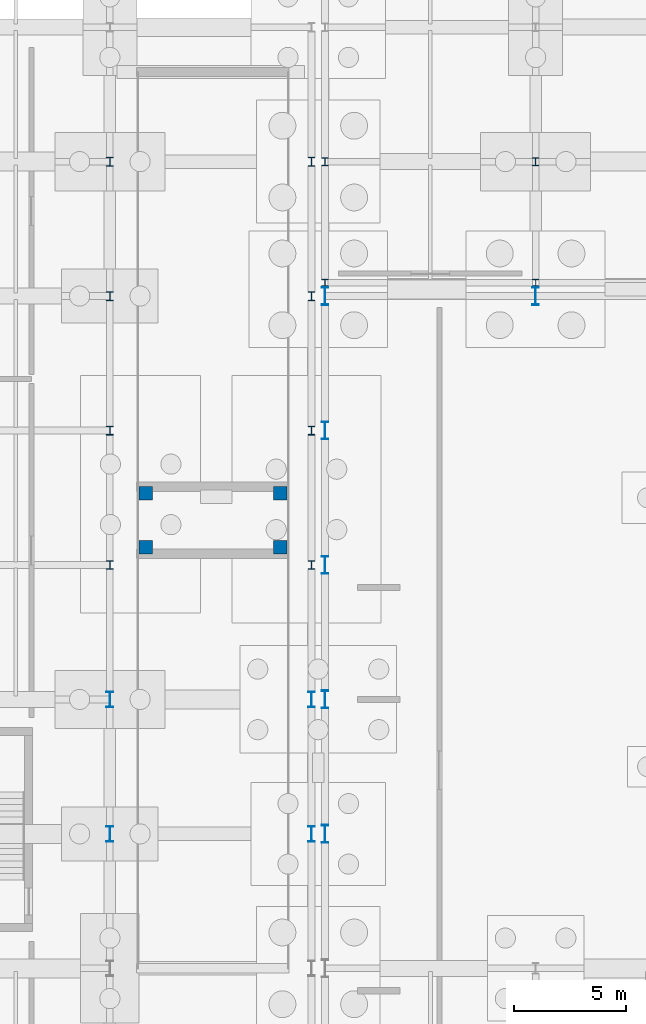
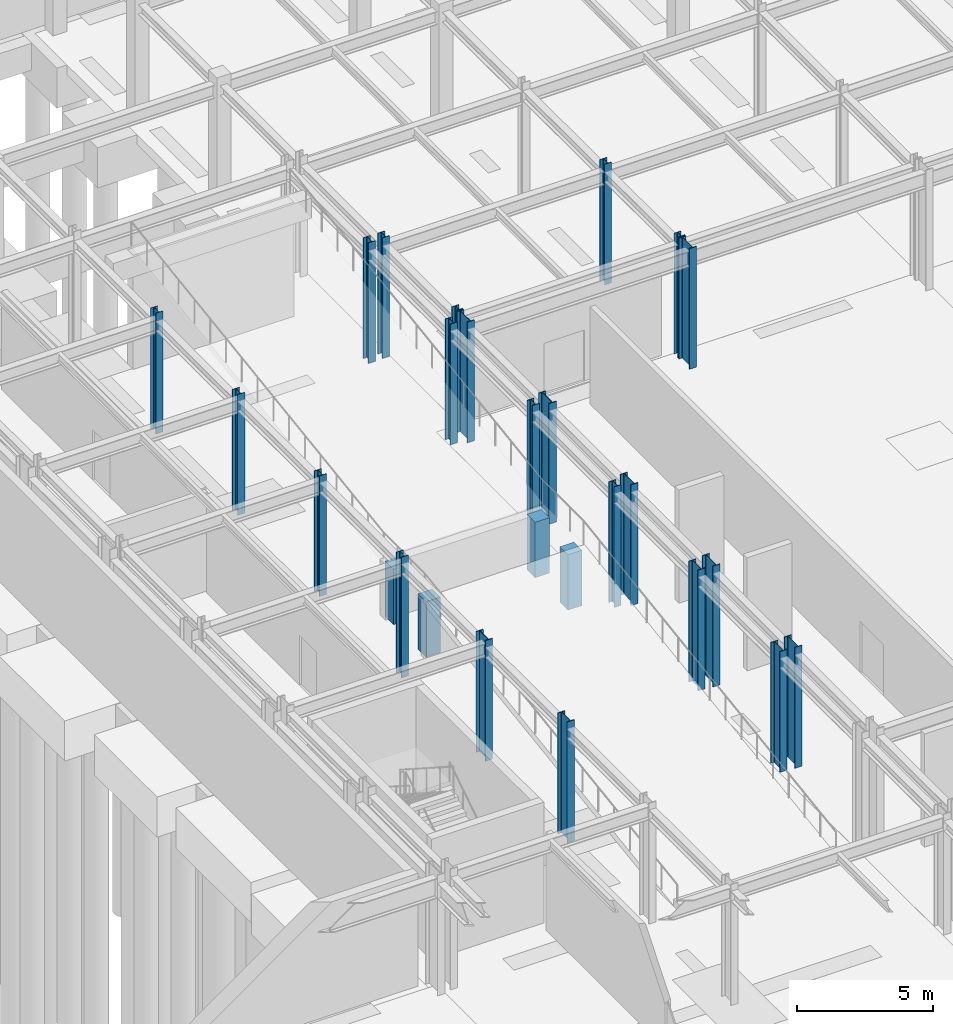
# One storey, part 30 of 65: 26 columns.
"""IFC4 building model written with IfcOpenShell, lengths in metres."""

from ifc_helpers import new_model, si_unit, direction, frame, origin, origin_2d, place, context, subcontext, project, spatial, rectangle, i_section, extrude, material, material_profile, profile_set, type_object, element, save


model = new_model("IFC4")

# Units and contexts
model_context = context("Model", 3, precision=1e-05, world=origin(), true_north=direction((0.0, 1.0)))
body_context = subcontext(model_context, "Body", "Model", "MODEL_VIEW")
ifc_project = project(units=[si_unit("LENGTHUNIT", "METRE"), si_unit("AREAUNIT", "SQUARE_METRE"), si_unit("VOLUMEUNIT", "CUBIC_METRE"), si_unit("PLANEANGLEUNIT", "RADIAN"), si_unit("MASSUNIT", "GRAM", prefix="KILO")], contexts=[model_context])

# Site, building, storey
site_placement = place(None, origin())
site = spatial("IfcSite", under=ifc_project, at=site_placement, CompositionType="ELEMENT")
building_placement = place(site_placement, origin())
building = spatial("IfcBuilding", under=site, at=building_placement, Name="Kaldris Quays Convention Centre", CompositionType="ELEMENT")
storey_placement = place(building_placement, frame((0.0, 0.0, -5.39990234375)))
storey = spatial("IfcBuildingStorey", under=building, at=storey_placement, Name="B1", CompositionType="ELEMENT", Elevation=-5.39990234375)

# Columns
ifc_material_1 = material(Name="Steel S355J2", Category="steel")
ifc_material_profile_1 = material_profile(ifc_material_1, i_section(OverallWidth=0.300048828125, OverallDepth=0.800048828125, WebThickness=0.017578125, FlangeThickness=0.032958984375, FilletRadius=0.030029296875, at=origin_2d()), Name="HEB 800")
ifc_profile_set_1 = profile_set([ifc_material_profile_1], Name="Steel S355J2")
column_type_1 = type_object("IfcColumnType", Name="STRUCTURAL COLUMN CL04", PredefinedType="COLUMN", material=ifc_profile_set_1)
for number, where, z_axis, x_axis, name in (
    (1, (164.60009765625, 80.0, 0.0), (0.0, 0.0, 1.0), (1.0, 0.0, 0.0), "B1 V2 Column CL04 (164.60, 80.00)"),
    (2, (164.60009765625, 86.0, 0.0), (0.0, 0.0, 1.0), (1.0, 0.0, 0.0), "B1 V2 Column CL04 (164.60, 86.00)"),
    (3, (164.60009765625, 92.0, 0.0), (0.0, 0.0, 1.0), (1.0, 0.0, 0.0), "B1 V2 Column CL04 (164.60, 92.00)"),
    (4, (164.60009765625, 98.0, 0.0), (0.0, 0.0, 1.0), (1.0, 0.0, 0.0), "B1 V2 Column CL04 (164.60, 98.00)"),
    (5, (164.60009765625, 104.0, 0.0), (0.0, 0.0, 1.0), (1.0, 0.0, 0.0), "B1 V2 Column CL04 (164.60, 104.00)"),
    (6, (174.0, 104.0, 0.0), (0.0, 0.0, 1.0), (1.0, 0.0, 0.0), "B1 V2 Column CL04 (174.00, 104.00)"),
):
    element("IfcColumn", number, at=place(storey_placement, frame(where, z_axis=z_axis, x_axis=x_axis)), inside=storey, type_object=column_type_1, Name=name, PredefinedType="COLUMN", context=body_context, shape_type="SweptSolid", body=[
        extrude(i_section(OverallWidth=0.300048828125, OverallDepth=0.800048828125, WebThickness=0.017578125, FlangeThickness=0.032958984375, FilletRadius=0.030029296875, at=origin_2d()), origin(), (0.0, 0.0, 1.0), 5.39990234375),
    ])
ifc_material_profile_2 = material_profile(ifc_material_1, i_section(OverallWidth=0.300048828125, OverallDepth=0.699951171875, WebThickness=0.01708984375, FlangeThickness=0.031982421875, FilletRadius=0.027099609375, at=origin_2d()), Name="HEB 700")
ifc_profile_set_2 = profile_set([ifc_material_profile_2], Name="Steel S355J2")
column_type_2 = type_object("IfcColumnType", Name="STRUCTURAL COLUMN CL05", PredefinedType="COLUMN", material=ifc_profile_set_2)
for number, where, z_axis, x_axis, name in (
    (7, (155.0, 80.0, 0.0), (0.0, 0.0, 1.0), (1.0, 0.0, 0.0), "B1 V4 Column CL05 (155.00, 80.00)"),
    (8, (155.0, 86.0, 0.0), (0.0, 0.0, 1.0), (1.0, 0.0, 0.0), "B1 V4 Column CL05 (155.00, 86.00)"),
    (9, (164.0, 80.0, 0.0), (0.0, 0.0, 1.0), (1.0, 0.0, 0.0), "B1 V4 Column CL05 (164.00, 80.00)"),
    (10, (164.0, 86.0, 0.0), (0.0, 0.0, 1.0), (1.0, 0.0, 0.0), "B1 V4 Column CL05 (164.00, 86.00)"),
):
    element("IfcColumn", number, at=place(storey_placement, frame(where, z_axis=z_axis, x_axis=x_axis)), inside=storey, type_object=column_type_2, Name=name, PredefinedType="COLUMN", context=body_context, shape_type="SweptSolid", body=[
        extrude(i_section(OverallWidth=0.300048828125, OverallDepth=0.699951171875, WebThickness=0.01708984375, FlangeThickness=0.031982421875, FilletRadius=0.027099609375, at=origin_2d()), origin(), (0.0, 0.0, 1.0), 5.39990234375),
    ])
ifc_material_profile_3 = material_profile(ifc_material_1, i_section(OverallWidth=0.300048828125, OverallDepth=0.39990234375, WebThickness=0.013427734375, FlangeThickness=0.02392578125, FilletRadius=0.027099609375, at=origin_2d()), Name="HEB 400")
ifc_profile_set_3 = profile_set([ifc_material_profile_3], Name="Steel S355J2")
column_type_3 = type_object("IfcColumnType", Name="STRUCTURAL COLUMN CL09", PredefinedType="COLUMN", material=ifc_profile_set_3)
for number, where, z_axis, x_axis, name in (
    (11, (155.0, 92.0, 0.0), (0.0, 0.0, 1.0), (1.0, 0.0, 0.0), "B1 V4 Column CL09 (155.00, 92.00)"),
    (12, (155.0, 98.0, 0.0), (0.0, 0.0, 1.0), (1.0, 0.0, 0.0), "B1 V4 Column CL09 (155.00, 98.00)"),
    (13, (155.0, 104.0, 0.0), (0.0, 0.0, 1.0), (1.0, 0.0, 0.0), "B1 V4 Column CL09 (155.00, 104.00)"),
    (14, (155.0, 110.0, 0.0), (0.0, 0.0, 1.0), (1.0, 0.0, 0.0), "B1 V4 Column CL09 (155.00, 110.00)"),
    (15, (164.0, 92.0, 0.0), (0.0, 0.0, 1.0), (1.0, 0.0, 0.0), "B1 V4 Column CL09 (164.00, 92.00)"),
    (16, (164.0, 98.0, 0.0), (0.0, 0.0, 1.0), (1.0, 0.0, 0.0), "B1 V4 Column CL09 (164.00, 98.00)"),
    (17, (164.0, 104.0, 0.0), (0.0, 0.0, 1.0), (1.0, 0.0, 0.0), "B1 V4 Column CL09 (164.00, 104.00)"),
    (18, (164.0, 110.0, 0.0), (0.0, 0.0, 1.0), (1.0, 0.0, 0.0), "B1 V4 Column CL09 (164.00, 110.00)"),
):
    element("IfcColumn", number, at=place(storey_placement, frame(where, z_axis=z_axis, x_axis=x_axis)), inside=storey, type_object=column_type_3, Name=name, PredefinedType="COLUMN", context=body_context, shape_type="SweptSolid", body=[
        extrude(i_section(OverallWidth=0.300048828125, OverallDepth=0.39990234375, WebThickness=0.013427734375, FlangeThickness=0.02392578125, FilletRadius=0.027099609375, at=origin_2d()), origin(), (0.0, 0.0, 1.0), 5.39990234375),
    ])
ifc_material_profile_4 = material_profile(ifc_material_1, i_section(OverallWidth=0.300048828125, OverallDepth=0.360107421875, WebThickness=0.012451171875, FlangeThickness=0.0224609375, FilletRadius=0.027099609375, at=origin_2d()), Name="HEB 360")
ifc_profile_set_4 = profile_set([ifc_material_profile_4], Name="Steel S355J2")
column_type_4 = type_object("IfcColumnType", Name="STRUCTURAL COLUMN CL10", PredefinedType="COLUMN", material=ifc_profile_set_4)
for number, where, z_axis, x_axis, name in (
    (19, (164.60009765625, 110.0, 0.0), (0.0, 0.0, 1.0), (1.0, 0.0, 0.0), "B1 V4 Column CL10 (164.60, 110.00)"),
    (20, (174.0, 110.0, 0.0), (0.0, 0.0, 1.0), (1.0, 0.0, 0.0), "B1 V4 Column CL10 (174.00, 110.00)"),
):
    element("IfcColumn", number, at=place(storey_placement, frame(where, z_axis=z_axis, x_axis=x_axis)), inside=storey, type_object=column_type_4, Name=name, PredefinedType="COLUMN", context=body_context, shape_type="SweptSolid", body=[
        extrude(i_section(OverallWidth=0.300048828125, OverallDepth=0.360107421875, WebThickness=0.012451171875, FlangeThickness=0.0224609375, FilletRadius=0.027099609375, at=origin_2d()), origin(), (0.0, 0.0, 1.0), 5.39990234375),
    ])
ifc_material_profile_5 = material_profile(ifc_material_1, i_section(OverallWidth=0.300048828125, OverallDepth=0.300048828125, WebThickness=0.010986328125, FlangeThickness=0.01904296875, FilletRadius=0.027099609375, at=origin_2d()), Name="HEB 300")
ifc_profile_set_5 = profile_set([ifc_material_profile_5], Name="Steel S355J2")
column_type_5 = type_object("IfcColumnType", Name="STRUCTURAL COLUMN CL11", PredefinedType="COLUMN", material=ifc_profile_set_5)
for number, where, z_axis, x_axis, name in (
    (21, (164.60009765625, 104.60009765625, 0.0), (0.0, 0.0, 1.0), (1.0, 0.0, 0.0), "B1 V4 Column CL11 (164.60, 104.60)"),
    (22, (174.0, 104.60009765625, 0.0), (0.0, 0.0, 1.0), (1.0, 0.0, 0.0), "B1 V4 Column CL11 (174.00, 104.60)"),
):
    element("IfcColumn", number, at=place(storey_placement, frame(where, z_axis=z_axis, x_axis=x_axis)), inside=storey, type_object=column_type_5, Name=name, PredefinedType="COLUMN", context=body_context, shape_type="SweptSolid", body=[
        extrude(i_section(OverallWidth=0.300048828125, OverallDepth=0.300048828125, WebThickness=0.010986328125, FlangeThickness=0.01904296875, FilletRadius=0.027099609375, at=origin_2d()), origin(), (0.0, 0.0, 1.0), 5.39990234375),
    ])
ifc_material_2 = material(Name="Concrete C40/50", Category="concrete")
ifc_material_profile_6 = material_profile(ifc_material_2, rectangle(XDim=0.60009765625, YDim=0.60009765625, at=origin_2d()), Name="RC 600x600")
ifc_profile_set_6 = profile_set([ifc_material_profile_6], Name="Concrete C40/50")
column_type_6 = type_object("IfcColumnType", Name="STRUCTURAL COLUMN CL15", PredefinedType="COLUMN", material=ifc_profile_set_6)
for number, where, z_axis, x_axis, name in (
    (23, (156.60009765625, 92.800048828125, 0.0), (0.0, 0.0, 1.0), (1.0, 0.0, 0.0), "B1 VR01_land Column CL15 (156.60, 92.80)"),
    (24, (156.60009765625, 95.199951171875, 0.0), (0.0, 0.0, 1.0), (1.0, 0.0, 0.0), "B1 VR01_land Column CL15 (156.60, 95.20)"),
    (25, (162.60009765625, 92.800048828125, 0.0), (0.0, 0.0, 1.0), (1.0, 0.0, 0.0), "B1 VR01_land Column CL15 (162.60, 92.80)"),
    (26, (162.60009765625, 95.199951171875, 0.0), (0.0, 0.0, 1.0), (1.0, 0.0, 0.0), "B1 VR01_land Column CL15 (162.60, 95.20)"),
):
    element("IfcColumn", number, at=place(storey_placement, frame(where, z_axis=z_axis, x_axis=x_axis)), inside=storey, type_object=column_type_6, Name=name, PredefinedType="COLUMN", context=body_context, shape_type="SweptSolid", body=[
        extrude(rectangle(XDim=0.60009765625, YDim=0.60009765625, at=origin_2d()), origin(), (0.0, 0.0, 1.0), 2.477783203125),
    ])

save(model, "model.ifc")
